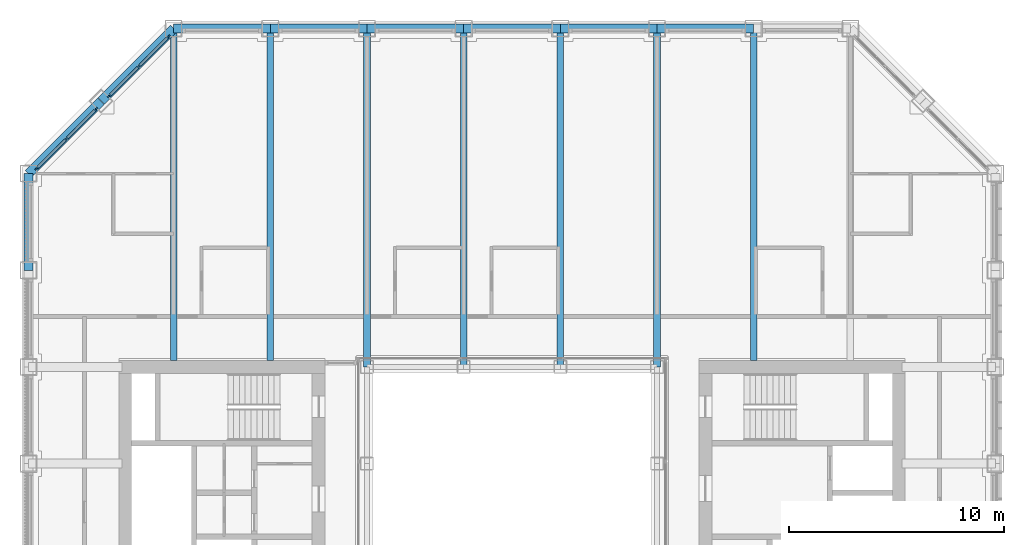
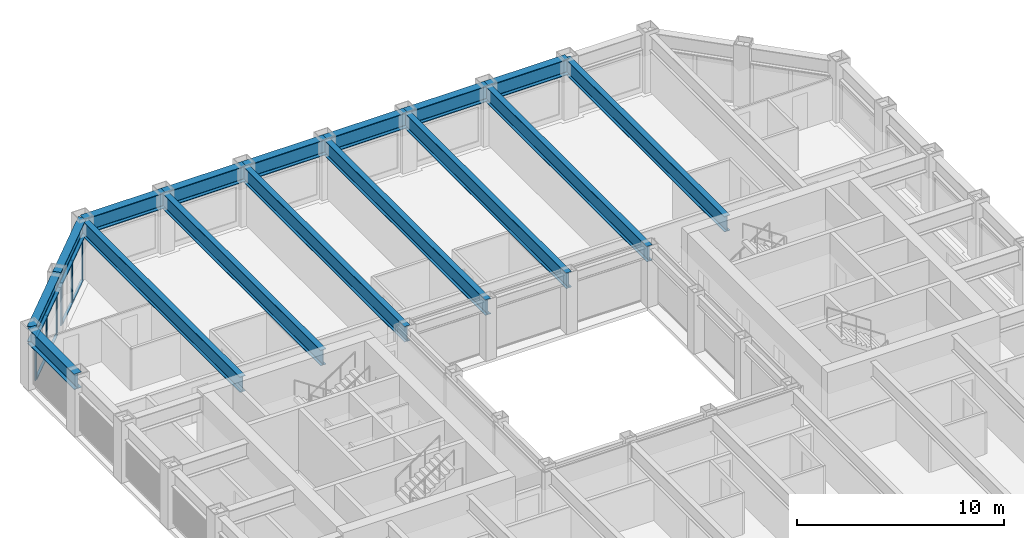
# One storey, part 7 of 17: 16 beams, 14 members, 2 elements without a shape of their own.
"""IFC4 building model written with IfcOpenShell, lengths in metres."""

from ifc_helpers import new_model, si_unit, direction, frame, origin, origin_2d, place, context, subcontext, project, spatial, rectangle, i_section, extrude, material, material_profile, profile_set, type_object, element, aggregate, save


model = new_model("IFC4")

# Units and contexts
model_context = context("Model", 3, precision=1e-05, world=origin(), true_north=direction((0.0, 1.0)))
body_context = subcontext(model_context, "Body", "Model", "MODEL_VIEW")
ifc_project = project(units=[si_unit("LENGTHUNIT", "METRE"), si_unit("AREAUNIT", "SQUARE_METRE"), si_unit("VOLUMEUNIT", "CUBIC_METRE"), si_unit("PLANEANGLEUNIT", "RADIAN"), si_unit("MASSUNIT", "GRAM", prefix="KILO")], contexts=[model_context])

# Site, building, storey
site_placement = place(None, origin())
site = spatial("IfcSite", under=ifc_project, at=site_placement, CompositionType="ELEMENT")
building_placement = place(site_placement, origin())
building = spatial("IfcBuilding", under=site, at=building_placement, Name="Msasa Ring Tower", CompositionType="ELEMENT")
storey_placement = place(building_placement, frame((0.0, 0.0, 161.60009765625)))
storey = spatial("IfcBuildingStorey", under=building, at=storey_placement, Name="L42", CompositionType="ELEMENT", Elevation=161.60009765625)

# Curtain wall, members
ifc_material_1 = material(Name="Aluminium curtain wall with clear glass", Category="aluminium")
curtain_wall_type = type_object("IfcCurtainWallType", Name="CW-C CHAMFER CORNER CURTAIN WALL", PredefinedType="NOTDEFINED", material=ifc_material_1)
curtain_wall_1_placement = place(storey_placement, origin())
curtain_wall_1 = element("IfcCurtainWall", 1, at=curtain_wall_1_placement, inside=storey, type_object=curtain_wall_type, Name="Chamfer corner curtain wall NW L42", PredefinedType="NOTDEFINED")
ifc_material_2 = material(Name="Aluminium mullion", Category="aluminium")
ifc_material_profile_1 = material_profile(ifc_material_2, rectangle(XDim=0.06494140625, YDim=0.179931640625, at=origin_2d()), Name="AL 65x180")
ifc_profile_set_1 = profile_set([ifc_material_profile_1], Name="Aluminium mullion")
member_type_1 = type_object("IfcMemberType", Name="CW-C MULLION 65x180", PredefinedType="MULLION", material=ifc_profile_set_1)
member_1_placement = place(storey_placement, frame((-19.36376953125, 18.744873046875, 0.0), z_axis=(0.0, 0.0, 1.0), x_axis=(0.707106781187, -0.707106781187, 0.0)))
member_1 = element("IfcMember", 2, at=member_1_placement, type_object=member_type_1, Name="CW-C mullion 1", PredefinedType="MULLION", context=body_context, shape_type="SweptSolid", body=[
    extrude(rectangle(XDim=0.06494140625, YDim=0.179931640625, at=origin_2d()), origin(), (0.0, 0.0, 1.0), 2.47900390625),
])
member_2_placement = place(storey_placement, frame((-20.74169921875, 17.36669921875, 0.0), z_axis=(0.0, 0.0, 1.0), x_axis=(0.707106781187, -0.707106781187, 0.0)))
member_2 = element("IfcMember", 3, at=member_2_placement, type_object=member_type_1, Name="CW-C mullion 2", PredefinedType="MULLION", context=body_context, shape_type="SweptSolid", body=[
    extrude(rectangle(XDim=0.06494140625, YDim=0.179931640625, at=origin_2d()), origin(), (0.0, 0.0, 1.0), 2.47900390625),
])
member_3_placement = place(storey_placement, frame((-22.119873046875, 15.98876953125, 0.0), z_axis=(0.0, 0.0, 1.0), x_axis=(0.707106781187, -0.707106781187, 0.0)))
member_3 = element("IfcMember", 4, at=member_3_placement, type_object=member_type_1, Name="CW-C mullion 3", PredefinedType="MULLION", context=body_context, shape_type="SweptSolid", body=[
    extrude(rectangle(XDim=0.06494140625, YDim=0.179931640625, at=origin_2d()), origin(), (0.0, 0.0, 1.0), 2.47900390625),
])

curtain_wall_2_placement = place(storey_placement, origin())
curtain_wall_2 = element("IfcCurtainWall", 5, at=curtain_wall_2_placement, inside=storey, type_object=curtain_wall_type, Name="Chamfer corner curtain wall NW L42", PredefinedType="NOTDEFINED")
member_4_placement = place(storey_placement, frame((-15.98876953125, 22.119873046875, 0.0), z_axis=(0.0, 0.0, 1.0), x_axis=(0.707106781187, -0.707106781187, 0.0)))
member_4 = element("IfcMember", 6, at=member_4_placement, type_object=member_type_1, Name="CW-C mullion 1", PredefinedType="MULLION", context=body_context, shape_type="SweptSolid", body=[
    extrude(rectangle(XDim=0.06494140625, YDim=0.179931640625, at=origin_2d()), origin(), (0.0, 0.0, 1.0), 2.47900390625),
])
member_5_placement = place(storey_placement, frame((-17.36669921875, 20.74169921875, 0.0), z_axis=(0.0, 0.0, 1.0), x_axis=(0.707106781187, -0.707106781187, 0.0)))
member_5 = element("IfcMember", 7, at=member_5_placement, type_object=member_type_1, Name="CW-C mullion 2", PredefinedType="MULLION", context=body_context, shape_type="SweptSolid", body=[
    extrude(rectangle(XDim=0.06494140625, YDim=0.179931640625, at=origin_2d()), origin(), (0.0, 0.0, 1.0), 2.47900390625),
])
member_6_placement = place(storey_placement, frame((-18.744873046875, 19.36376953125, 0.0), z_axis=(0.0, 0.0, 1.0), x_axis=(0.707106781187, -0.707106781187, 0.0)))
member_6 = element("IfcMember", 8, at=member_6_placement, type_object=member_type_1, Name="CW-C mullion 3", PredefinedType="MULLION", context=body_context, shape_type="SweptSolid", body=[
    extrude(rectangle(XDim=0.06494140625, YDim=0.179931640625, at=origin_2d()), origin(), (0.0, 0.0, 1.0), 2.47900390625),
])

# Member
ifc_material_3 = material(Name="Aluminium transom", Category="aluminium")
ifc_material_profile_2 = material_profile(ifc_material_3, rectangle(XDim=0.139892578125, YDim=0.06494140625, at=origin_2d()), Name="AL 65x140")
ifc_profile_set_2 = profile_set([ifc_material_profile_2], Name="Aluminium transom")
member_type_2 = type_object("IfcMemberType", Name="CW-C TRANSOM 65x140", PredefinedType="USERDEFINED", material=ifc_profile_set_2)
member_7_placement = place(storey_placement, frame((-19.38671875, 18.721923828125, 0.032470703125), z_axis=(-0.707106781187, -0.707106781187, 0.0), x_axis=(0.707106781187, -0.707106781187, 0.0)))
member_7 = element("IfcMember", 9, at=member_7_placement, type_object=member_type_2, Name="CW-C transom 1.1", ObjectType="TRANSOM", PredefinedType="USERDEFINED", context=body_context, shape_type="SweptSolid", body=[
    extrude(rectangle(XDim=0.139892578125, YDim=0.06494140625, at=origin_2d()), origin(), (0.0, 0.0, 1.0), 1.8837890625),
])

member_8_placement = place(storey_placement, frame((-19.38671875, 18.721923828125, 2.4462890625), z_axis=(-0.707106781187, -0.707106781187, 0.0), x_axis=(0.707106781187, -0.707106781187, 0.0)))
member_8 = element("IfcMember", 10, at=member_8_placement, type_object=member_type_2, Name="CW-C transom 1.2", ObjectType="TRANSOM", PredefinedType="USERDEFINED", context=body_context, shape_type="SweptSolid", body=[
    extrude(rectangle(XDim=0.139892578125, YDim=0.06494140625, at=origin_2d()), origin(), (0.0, 0.0, 1.0), 1.8837890625),
])

member_9_placement = place(storey_placement, frame((-20.764892578125, 17.34375, 0.032470703125), z_axis=(-0.707106781187, -0.707106781187, 0.0), x_axis=(0.707106781187, -0.707106781187, 0.0)))
member_9 = element("IfcMember", 11, at=member_9_placement, type_object=member_type_2, Name="CW-C transom 2.1", ObjectType="TRANSOM", PredefinedType="USERDEFINED", context=body_context, shape_type="SweptSolid", body=[
    extrude(rectangle(XDim=0.139892578125, YDim=0.06494140625, at=origin_2d()), origin(), (0.0, 0.0, 1.0), 1.8837890625),
])

member_10_placement = place(storey_placement, frame((-20.764892578125, 17.34375, 2.4462890625), z_axis=(-0.707106781187, -0.707106781187, 0.0), x_axis=(0.707106781187, -0.707106781187, 0.0)))
member_10 = element("IfcMember", 12, at=member_10_placement, type_object=member_type_2, Name="CW-C transom 2.2", ObjectType="TRANSOM", PredefinedType="USERDEFINED", context=body_context, shape_type="SweptSolid", body=[
    extrude(rectangle(XDim=0.139892578125, YDim=0.06494140625, at=origin_2d()), origin(), (0.0, 0.0, 1.0), 1.8837890625),
])

aggregate(curtain_wall_1, [member_1, member_2, member_3, member_7, member_8, member_9, member_10])

member_11_placement = place(storey_placement, frame((-16.01171875, 22.096923828125, 0.032470703125), z_axis=(-0.707106781187, -0.707106781187, 0.0), x_axis=(0.707106781187, -0.707106781187, 0.0)))
member_11 = element("IfcMember", 13, at=member_11_placement, type_object=member_type_2, Name="CW-C transom 1.1", ObjectType="TRANSOM", PredefinedType="USERDEFINED", context=body_context, shape_type="SweptSolid", body=[
    extrude(rectangle(XDim=0.139892578125, YDim=0.06494140625, at=origin_2d()), origin(), (0.0, 0.0, 1.0), 1.8837890625),
])

member_12_placement = place(storey_placement, frame((-16.01171875, 22.096923828125, 2.4462890625), z_axis=(-0.707106781187, -0.707106781187, 0.0), x_axis=(0.707106781187, -0.707106781187, 0.0)))
member_12 = element("IfcMember", 14, at=member_12_placement, type_object=member_type_2, Name="CW-C transom 1.2", ObjectType="TRANSOM", PredefinedType="USERDEFINED", context=body_context, shape_type="SweptSolid", body=[
    extrude(rectangle(XDim=0.139892578125, YDim=0.06494140625, at=origin_2d()), origin(), (0.0, 0.0, 1.0), 1.8837890625),
])

member_13_placement = place(storey_placement, frame((-17.389892578125, 20.71875, 0.032470703125), z_axis=(-0.707106781187, -0.707106781187, 0.0), x_axis=(0.707106781187, -0.707106781187, 0.0)))
member_13 = element("IfcMember", 15, at=member_13_placement, type_object=member_type_2, Name="CW-C transom 2.1", ObjectType="TRANSOM", PredefinedType="USERDEFINED", context=body_context, shape_type="SweptSolid", body=[
    extrude(rectangle(XDim=0.139892578125, YDim=0.06494140625, at=origin_2d()), origin(), (0.0, 0.0, 1.0), 1.8837890625),
])

member_14_placement = place(storey_placement, frame((-17.389892578125, 20.71875, 2.4462890625), z_axis=(-0.707106781187, -0.707106781187, 0.0), x_axis=(0.707106781187, -0.707106781187, 0.0)))
member_14 = element("IfcMember", 16, at=member_14_placement, type_object=member_type_2, Name="CW-C transom 2.2", ObjectType="TRANSOM", PredefinedType="USERDEFINED", context=body_context, shape_type="SweptSolid", body=[
    extrude(rectangle(XDim=0.139892578125, YDim=0.06494140625, at=origin_2d()), origin(), (0.0, 0.0, 1.0), 1.8837890625),
])

aggregate(curtain_wall_2, [member_4, member_5, member_6, member_11, member_12, member_13, member_14])

# Beams
ifc_material_4 = material(Name="Steel S355", Category="steel")
ifc_material_profile_3 = material_profile(ifc_material_4, i_section(OverallWidth=0.3076171875, OverallDepth=0.926513671875, WebThickness=0.01953125, FlangeThickness=0.031982421875, FilletRadius=0.01904296875, at=origin_2d()), Name="UB 914x305x289")
ifc_profile_set_3 = profile_set([ifc_material_profile_3], Name="Steel S355")
beam_type_1 = type_object("IfcBeamType", Name="FB3 UB 914x305x289", PredefinedType="BEAM", material=ifc_profile_set_3)
for number, where, z_axis, x_axis, name in (
    (17, (-15.75, 22.5, 2.9365234375), (0.0, -1.0, 0.0), (1.0, 0.0, 0.0), "Floor beam N-15.75 under L43"),
    (18, (-11.25, 22.5, 2.9365234375), (0.0, -1.0, 0.0), (1.0, 0.0, 0.0), "Floor beam N-11.25 under L43"),
):
    element("IfcBeam", number, at=place(storey_placement, frame(where, z_axis=z_axis, x_axis=x_axis)), inside=storey, type_object=beam_type_1, Name=name, PredefinedType="BEAM", context=body_context, shape_type="SweptSolid", body=[
        extrude(i_section(OverallWidth=0.3076171875, OverallDepth=0.926513671875, WebThickness=0.01953125, FlangeThickness=0.031982421875, FilletRadius=0.01904296875, at=origin_2d()), origin(), (0.0, 0.0, 1.0), 15.449951171875),
    ])
for number, where, z_axis, x_axis, name in (
    (19, (-6.75, 22.5, 2.9365234375), (0.0, -1.0, 0.0), (1.0, 0.0, 0.0), "Floor beam N-6.75 under L43"),
    (20, (-2.25, 22.5, 2.9365234375), (0.0, -1.0, 0.0), (1.0, 0.0, 0.0), "Floor beam N-2.25 under L43"),
    (21, (2.25, 22.5, 2.9365234375), (0.0, -1.0, 0.0), (1.0, 0.0, 0.0), "Floor beam N+2.25 under L43"),
    (22, (6.75, 22.5, 2.9365234375), (0.0, -1.0, 0.0), (1.0, 0.0, 0.0), "Floor beam N+6.75 under L43"),
):
    element("IfcBeam", number, at=place(storey_placement, frame(where, z_axis=z_axis, x_axis=x_axis)), inside=storey, type_object=beam_type_1, Name=name, PredefinedType="BEAM", context=body_context, shape_type="SweptSolid", body=[
        extrude(i_section(OverallWidth=0.3076171875, OverallDepth=0.926513671875, WebThickness=0.01953125, FlangeThickness=0.031982421875, FilletRadius=0.01904296875, at=origin_2d()), origin(), (0.0, 0.0, 1.0), 15.75),
    ])
beam_1_placement = place(storey_placement, frame((11.25, 22.5, 2.9365234375), z_axis=(0.0, -1.0, 0.0), x_axis=(1.0, 0.0, 0.0)))
element("IfcBeam", 23, at=beam_1_placement, inside=storey, type_object=beam_type_1, Name="Floor beam N+11.25 under L43", PredefinedType="BEAM", context=body_context, shape_type="SweptSolid", body=[
    extrude(i_section(OverallWidth=0.3076171875, OverallDepth=0.926513671875, WebThickness=0.01953125, FlangeThickness=0.031982421875, FilletRadius=0.01904296875, at=origin_2d()), origin(), (0.0, 0.0, 1.0), 15.449951171875),
])
ifc_material_5 = material(Name="Steel S355", Category="steel")
ifc_material_profile_4 = material_profile(ifc_material_5, i_section(OverallWidth=0.42041015625, OverallDepth=0.9208984375, WebThickness=0.021484375, FlangeThickness=0.03662109375, FilletRadius=0.024169921875, at=origin_2d()), Name="UB 914x419x388")
ifc_profile_set_4 = profile_set([ifc_material_profile_4], Name="Steel S355")
beam_type_2 = type_object("IfcBeamType", Name="SB1 UB 914x419x388", PredefinedType="SPANDREL", material=ifc_profile_set_4)
for number, where, z_axis, x_axis, name in (
    (24, (11.25, 22.5, 2.939453125), (-1.0, 0.0, 0.0), (0.0, -1.0, 0.0), "Spandrel N+11.25 to N+6.75 under L43"),
    (25, (6.75, 22.5, 2.939453125), (-1.0, 0.0, 0.0), (0.0, -1.0, 0.0), "Spandrel N+6.75 to N+2.25 under L43"),
    (26, (2.25, 22.5, 2.939453125), (-1.0, 0.0, 0.0), (0.0, -1.0, 0.0), "Spandrel N+2.25 to N-2.25 under L43"),
    (27, (-2.25, 22.5, 2.939453125), (-1.0, 0.0, 0.0), (0.0, -1.0, 0.0), "Spandrel N-2.25 to N-6.75 under L43"),
    (28, (-6.75, 22.5, 2.939453125), (-1.0, 0.0, 0.0), (0.0, -1.0, 0.0), "Spandrel N-6.75 to N-11.25 under L43"),
    (29, (-11.25, 22.5, 2.939453125), (-1.0, 0.0, 0.0), (0.0, -1.0, 0.0), "Spandrel N-11.25 to N-15.75 under L43"),
):
    element("IfcBeam", number, at=place(storey_placement, frame(where, z_axis=z_axis, x_axis=x_axis)), inside=storey, type_object=beam_type_2, Name=name, PredefinedType="SPANDREL", context=body_context, shape_type="SweptSolid", body=[
        extrude(i_section(OverallWidth=0.42041015625, OverallDepth=0.9208984375, WebThickness=0.021484375, FlangeThickness=0.03662109375, FilletRadius=0.024169921875, at=origin_2d()), origin(), (0.0, 0.0, 1.0), 4.5),
    ])
for number, where, z_axis, x_axis, name in (
    (30, (-15.75, 22.5, 2.939453125), (-0.707106781187, -0.707106781187, 0.0), (0.707106781187, -0.707106781187, 0.0), "Spandrel N-15.75 to NW under L43"),
    (31, (-19.125, 19.125, 2.939453125), (-0.707106781187, -0.707106781187, 0.0), (0.707106781187, -0.707106781187, 0.0), "Spandrel NW to W+15.75 under L43"),
):
    element("IfcBeam", number, at=place(storey_placement, frame(where, z_axis=z_axis, x_axis=x_axis)), inside=storey, type_object=beam_type_2, Name=name, PredefinedType="SPANDREL", context=body_context, shape_type="SweptSolid", body=[
        extrude(i_section(OverallWidth=0.42041015625, OverallDepth=0.9208984375, WebThickness=0.021484375, FlangeThickness=0.03662109375, FilletRadius=0.024169921875, at=origin_2d()), origin(), (0.0, 0.0, 1.0), 4.77294921875),
    ])
beam_2_placement = place(storey_placement, frame((-22.5, 15.75, 2.939453125), z_axis=(0.0, -1.0, 0.0), x_axis=(1.0, 0.0, 0.0)))
element("IfcBeam", 32, at=beam_2_placement, inside=storey, type_object=beam_type_2, Name="Spandrel W+15.75 to W+11.25 under L43", PredefinedType="SPANDREL", context=body_context, shape_type="SweptSolid", body=[
    extrude(i_section(OverallWidth=0.42041015625, OverallDepth=0.9208984375, WebThickness=0.021484375, FlangeThickness=0.03662109375, FilletRadius=0.024169921875, at=origin_2d()), origin(), (0.0, 0.0, 1.0), 4.5),
])

save(model, "model.ifc")
